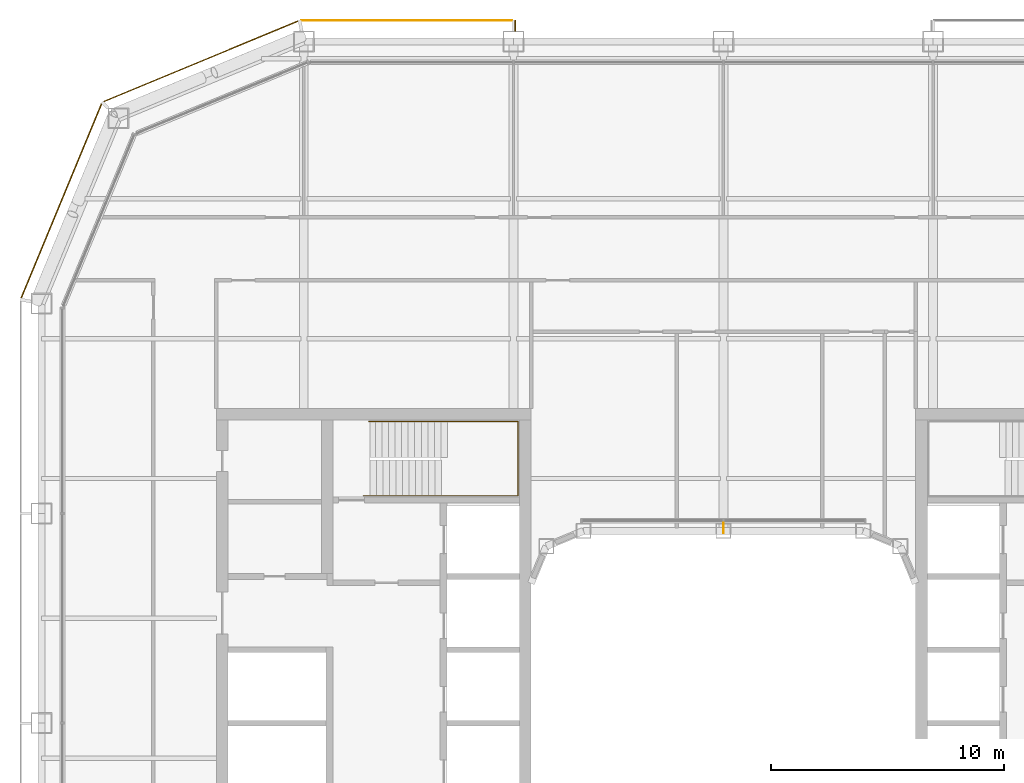
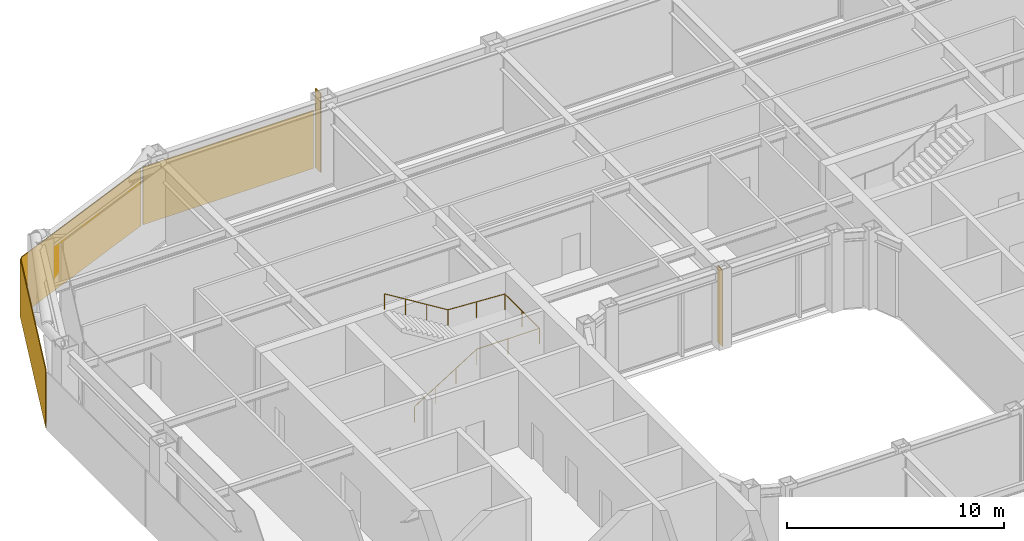
# One storey, part 20 of 21: 4 coverings, 1 railing, 1 shading device.
"""IFC4 building model written with IfcOpenShell, lengths in metres."""

from ifc_helpers import new_model, si_unit, direction, frame, origin, origin_2d, place, context, subcontext, project, spatial, rectangle, circle, extrude, material, layer, layer_set, type_object, element, save


model = new_model("IFC4")

# Units and contexts
model_context = context("Model", 3, precision=1e-05, world=origin(), true_north=direction((0.0, 1.0)))
body_context = subcontext(model_context, "Body", "Model", "MODEL_VIEW")
ifc_project = project(units=[si_unit("LENGTHUNIT", "METRE"), si_unit("AREAUNIT", "SQUARE_METRE"), si_unit("VOLUMEUNIT", "CUBIC_METRE"), si_unit("PLANEANGLEUNIT", "RADIAN"), si_unit("MASSUNIT", "GRAM", prefix="KILO")], contexts=[model_context])

# Site, building, storey
site_placement = place(None, origin())
site = spatial("IfcSite", under=ifc_project, at=site_placement, CompositionType="ELEMENT")
building_placement = place(site_placement, origin())
building = spatial("IfcBuilding", under=site, at=building_placement, Name="Siwar Civic Tower", CompositionType="ELEMENT")
storey_placement = place(building_placement, frame((0.0, 0.0, 176.699951171875)))
storey = spatial("IfcBuildingStorey", under=building, at=storey_placement, Name="L38", CompositionType="ELEMENT", Elevation=176.699951171875)

# Railing
ifc_material_1 = material(Name="Stainless steel", Category="steel")
railing_type = type_object("IfcRailingType", Name="CORE-STAIR-HANDRAIL", PredefinedType="HANDRAIL", material=ifc_material_1)
railing_placement = place(storey_placement, frame((-15.449951171875, 9.758056640625, 0.173095703125)))
element("IfcRailing", 1, at=railing_placement, inside=storey, type_object=railing_type, Name="Stair handrail ST1", PredefinedType="HANDRAIL", context=body_context, shape_type="SweptSolid", body=[
    extrude(circle(Radius=0.02001953125, at=origin_2d()), frame((0.0, 0.0, 0.8798828125), z_axis=(0.847063342986, 0.0, 0.531491950051), x_axis=(0.0, 1.0, 0.0)), (0.0, 0.0, 1.0), 3.90771484375),
    extrude(circle(Radius=0.02001953125, at=origin_2d()), frame((3.31005859375, 0.0, 2.956787109375), z_axis=(1.0, 0.0, 0.0), x_axis=(0.0, 1.0, 0.0)), (0.0, 0.0, 1.0), 3.331787109375),
    extrude(circle(Radius=0.02001953125, at=origin_2d()), frame((6.641845703125, 0.0, 2.956787109375), z_axis=(0.0, 1.0, 0.0), x_axis=(-1.0, 0.0, 0.0)), (0.0, 0.0, 1.0), 3.183837890625),
    extrude(circle(Radius=0.02001953125, at=origin_2d()), frame((6.641845703125, 3.183837890625, 2.956787109375), z_axis=(-0.99837434197, 0.0, 0.056997134106), x_axis=(0.0, -1.0, 0.0)), (0.0, 0.0, 1.0), 3.036865234375),
    extrude(circle(Radius=0.02001953125, at=origin_2d()), frame((3.60986328125, 3.183837890625, 3.1298828125), z_axis=(-0.850606129759, 0.0, 0.525803396734), x_axis=(0.0, -1.0, 0.0)), (0.0, 0.0, 1.0), 3.949951171875),
    extrude(circle(Radius=0.02001953125, at=origin_2d()), origin(), (0.0, 0.0, 1.0), 0.85986328125),
    extrude(circle(Radius=0.02001953125, at=origin_2d()), frame((1.103271484375, 0.0, 0.6923828125)), (0.0, 0.0, 1.0), 0.85986328125),
    extrude(circle(Radius=0.02001953125, at=origin_2d()), frame((2.206787109375, 0.0, 1.384521484375)), (0.0, 0.0, 1.0), 0.85986328125),
    extrude(circle(Radius=0.02001953125, at=origin_2d()), frame((3.31005859375, 0.0, 2.076904296875)), (0.0, 0.0, 1.0), 0.85986328125),
    extrude(circle(Radius=0.02001953125, at=origin_2d()), frame((4.97607421875, 0.0, 2.076904296875)), (0.0, 0.0, 1.0), 0.85986328125),
    extrude(circle(Radius=0.02001953125, at=origin_2d()), frame((6.641845703125, 0.0, 2.076904296875)), (0.0, 0.0, 1.0), 0.85986328125),
    extrude(circle(Radius=0.02001953125, at=origin_2d()), frame((6.641845703125, 1.591796875, 2.076904296875)), (0.0, 0.0, 1.0), 0.85986328125),
    extrude(circle(Radius=0.02001953125, at=origin_2d()), frame((6.641845703125, 3.183837890625, 2.076904296875)), (0.0, 0.0, 1.0), 0.85986328125),
    extrude(circle(Radius=0.02001953125, at=origin_2d()), frame((5.1259765625, 3.183837890625, 2.16357421875)), (0.0, 0.0, 1.0), 0.85986328125),
    extrude(circle(Radius=0.02001953125, at=origin_2d()), frame((3.60986328125, 3.183837890625, 2.25)), (0.0, 0.0, 1.0), 0.85986328125),
    extrude(circle(Radius=0.02001953125, at=origin_2d()), frame((2.489990234375, 3.183837890625, 2.9423828125)), (0.0, 0.0, 1.0), 0.85986328125),
    extrude(circle(Radius=0.02001953125, at=origin_2d()), frame((1.369873046875, 3.183837890625, 3.634521484375)), (0.0, 0.0, 1.0), 0.85986328125),
    extrude(circle(Radius=0.02001953125, at=origin_2d()), frame((0.25, 3.183837890625, 4.326904296875)), (0.0, 0.0, 1.0), 0.85986328125),
])

# Shading device
ifc_material_2 = material(Name="Aluminium 6063-T6", Category="aluminium")
ifc_layer_1 = layer(ifc_material_2, 0.02001953125)
ifc_layer_set_1 = layer_set([ifc_layer_1], Name="Aluminium 6063-T6")
shading_device_type = type_object("IfcShadingDeviceType", Name="ENV-FIN", PredefinedType="JALOUSIE", material=ifc_layer_set_1)
shading_device_placement = place(storey_placement, frame((0.0, 8.3701171875, 0.0), z_axis=(0.0, 0.0, 1.0), x_axis=(-1.0, 0.0, 0.0)))
element("IfcShadingDevice", 2, at=shading_device_placement, inside=storey, type_object=shading_device_type, Name="SUNSHADE fin WN 1", PredefinedType="JALOUSIE", context=body_context, shape_type="SweptSolid", body=[
    extrude(rectangle(XDim=0.02001953125, YDim=0.449951171875, at=origin_2d()), origin(), (0.0, 0.0, 1.0), 4.300048828125),
])

# Coverings
ifc_material_3 = material(Name="Perforated aluminium cassette, pale metal", Category="aluminium")
ifc_layer_2 = layer(ifc_material_3, 0.0400390625)
ifc_layer_set_2 = layer_set([ifc_layer_2], Name="Perforated aluminium cassette, pale metal")
covering_type_1 = type_object("IfcCoveringType", Name="ENV-OUTER SKIN OS-1", PredefinedType="CLADDING", material=ifc_layer_set_2)
covering_1_placement = place(storey_placement, frame((-13.57958984375, 30.14990234375, -0.14990234375), z_axis=(0.0, 0.0, 1.0), x_axis=(-1.0, 0.0, 0.0)))
element("IfcCovering", 3, at=covering_1_placement, inside=storey, type_object=covering_type_1, Name="OUTER SKIN OS-1 N 4", PredefinedType="CLADDING", context=body_context, shape_type="SweptSolid", body=[
    extrude(rectangle(XDim=9.05908203125, YDim=0.0400390625, at=origin_2d()), origin(), (0.0, 0.0, 1.0), 3.25),
])
covering_2_placement = place(storey_placement, frame((-22.411376953125, 28.39697265625, -0.14990234375), z_axis=(0.0, 0.0, 1.0), x_axis=(-0.923879532511, -0.382683432365, 0.0)))
element("IfcCovering", 4, at=covering_2_placement, inside=storey, type_object=covering_type_1, Name="OUTER SKIN OS-1 NW1 1", PredefinedType="CLADDING", context=body_context, shape_type="SweptSolid", body=[
    extrude(rectangle(XDim=9.022216796875, YDim=0.0400390625, at=origin_2d()), origin(), (0.0, 0.0, 1.0), 3.25),
])
ifc_material_4 = material(Name="Perforated aluminium cassette, pale metal", Category="aluminium")
ifc_layer_3 = layer(ifc_material_4, 0.044921875)
ifc_layer_set_3 = layer_set([ifc_layer_3], Name="Perforated aluminium cassette, pale metal")
covering_type_2 = type_object("IfcCoveringType", Name="ENV-OUTER SKIN OS-2", PredefinedType="CLADDING", material=ifc_layer_set_3)
covering_3_placement = place(storey_placement, frame((-28.39697265625, 22.411376953125, -0.14990234375), z_axis=(0.0, 0.0, 1.0), x_axis=(-0.382683432365, -0.923879532511, 0.0)))
element("IfcCovering", 5, at=covering_3_placement, inside=storey, type_object=covering_type_2, Name="OUTER SKIN OS-2 NW2 1", PredefinedType="CLADDING", context=body_context, shape_type="SweptSolid", body=[
    extrude(rectangle(XDim=9.022216796875, YDim=0.044921875, at=origin_2d()), origin(), (0.0, 0.0, 1.0), 3.25),
])
ifc_material_5 = material(Name="Perforated aluminium cassette, pale metal", Category="aluminium")
ifc_layer_4 = layer(ifc_material_5, 0.050048828125)
ifc_layer_set_4 = layer_set([ifc_layer_4], Name="Perforated aluminium cassette, pale metal")
covering_type_3 = type_object("IfcCoveringType", Name="ENV-PORTAL FRAME", PredefinedType="CLADDING", material=ifc_layer_set_4)
covering_4_placement = place(storey_placement, frame((-8.925048828125, 29.9150390625, -0.14990234375), z_axis=(0.0, 0.0, 1.0), x_axis=(1.0, 0.0, 0.0)))
element("IfcCovering", 6, at=covering_4_placement, inside=storey, type_object=covering_type_3, Name="PORTAL FRAME return plate N L38", PredefinedType="CLADDING", context=body_context, shape_type="SweptSolid", body=[
    extrude(rectangle(XDim=0.050048828125, YDim=0.469970703125, at=origin_2d()), origin(), (0.0, 0.0, 1.0), 4.449951171875),
])

save(model, "model.ifc")
